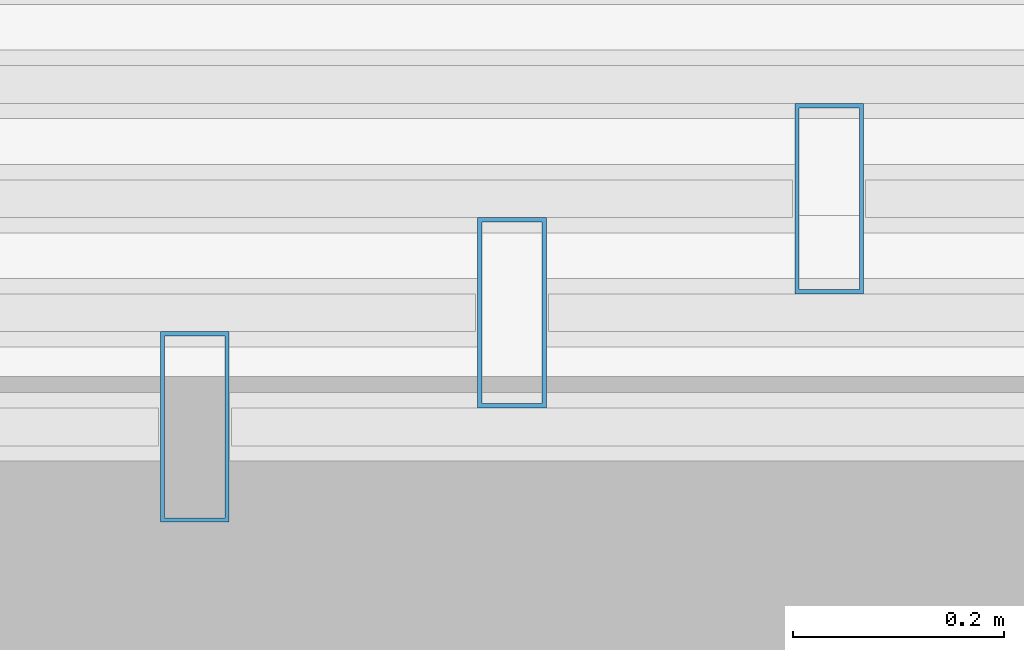
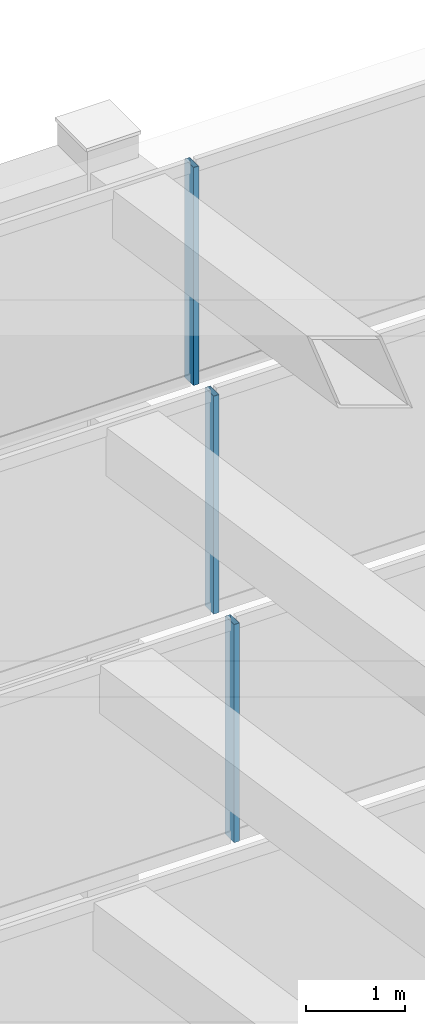
# One storey, part 18 of 29: 3 members, 3 elements without a shape of their own.
"""IFC4 building model written with IfcOpenShell, lengths in metres."""

from ifc_helpers import new_model, si_unit, direction, frame, origin, origin_2d, place, context, subcontext, project, spatial, hollow_rectangle, extrude, material, material_profile, profile_set, type_object, element, aggregate, save


model = new_model("IFC4")

# Units and contexts
model_context = context("Model", 3, precision=1e-05, world=origin(), true_north=direction((0.0, 1.0)))
body_context = subcontext(model_context, "Body", "Model", "MODEL_VIEW")
ifc_project = project(units=[si_unit("LENGTHUNIT", "METRE"), si_unit("AREAUNIT", "SQUARE_METRE"), si_unit("VOLUMEUNIT", "CUBIC_METRE"), si_unit("PLANEANGLEUNIT", "RADIAN"), si_unit("MASSUNIT", "GRAM", prefix="KILO")], contexts=[model_context])

# Site, building, storey
site_placement = place(None, origin())
site = spatial("IfcSite", under=ifc_project, at=site_placement, CompositionType="ELEMENT")
building_placement = place(site_placement, origin())
building = spatial("IfcBuilding", under=site, at=building_placement, Name="Saevonmaru Cultural Tower", CompositionType="ELEMENT")
storey_placement = place(building_placement, frame((0.0, 0.0, 327.60009765625)))
storey = spatial("IfcBuildingStorey", under=building, at=storey_placement, Name="RF", CompositionType="ELEMENT", Elevation=327.60009765625)

# Curtain wall, member
ifc_material = material(Name="Satin Bronze Anodised Aluminium", Category="aluminium")
curtain_wall_type = type_object("IfcCurtainWallType", Name="CW-TYP-B", PredefinedType="NOTDEFINED", material=ifc_material)
curtain_wall_1_placement = place(storey_placement, origin())
curtain_wall_1 = element("IfcCurtainWall", 1, at=curtain_wall_1_placement, inside=storey, type_object=curtain_wall_type, Name="RF Ziggurat Crown Tier 4 Bronze Louvre Screen 3", PredefinedType="NOTDEFINED")
ifc_material_profile = material_profile(ifc_material, hollow_rectangle(XDim=0.06494140625, YDim=0.179931640625, WallThickness=0.00390625, at=origin_2d()), Name="ALU-MULL-180x65x4")
ifc_profile_set = profile_set([ifc_material_profile], Name="Satin Bronze Anodised Aluminium")
member_type = type_object("IfcMemberType", Name="ML-CW-180x65", PredefinedType="MULLION", material=ifc_profile_set)
member_1_placement = place(storey_placement, frame((36.122314453125, 54.367919921875, 9.0), z_axis=(0.0, 0.0, 1.0), x_axis=(-1.0, 0.0, 0.0)))
member_1 = element("IfcMember", 2, at=member_1_placement, type_object=member_type, Name="CW-CROWN-T4-3 mullion 2", PredefinedType="MULLION", context=body_context, shape_type="SweptSolid", body=[
    extrude(hollow_rectangle(XDim=0.06494140625, YDim=0.179931640625, WallThickness=0.00390625, at=origin_2d()), origin(), (0.0, 0.0, 1.0), 2.699951171875),
])
aggregate(curtain_wall_1, [member_1])

curtain_wall_2_placement = place(storey_placement, origin())
curtain_wall_2 = element("IfcCurtainWall", 3, at=curtain_wall_2_placement, inside=storey, type_object=curtain_wall_type, Name="RF Ziggurat Crown Tier 5 Bronze Louvre Screen 3", PredefinedType="NOTDEFINED")
member_2_placement = place(storey_placement, frame((35.822265625, 54.260009765625, 12.0), z_axis=(0.0, 0.0, 1.0), x_axis=(-1.0, 0.0, 0.0)))
member_2 = element("IfcMember", 4, at=member_2_placement, type_object=member_type, Name="CW-CROWN-T5-3 mullion 2", PredefinedType="MULLION", context=body_context, shape_type="SweptSolid", body=[
    extrude(hollow_rectangle(XDim=0.06494140625, YDim=0.179931640625, WallThickness=0.00390625, at=origin_2d()), origin(), (0.0, 0.0, 1.0), 2.699951171875),
])
aggregate(curtain_wall_2, [member_2])

curtain_wall_3_placement = place(storey_placement, origin())
curtain_wall_3 = element("IfcCurtainWall", 5, at=curtain_wall_3_placement, inside=storey, type_object=curtain_wall_type, Name="RF Ziggurat Crown Tier 6 Bronze Louvre Screen 3", PredefinedType="NOTDEFINED")
member_3_placement = place(storey_placement, frame((35.522216796875, 54.152099609375, 15.0), z_axis=(0.0, 0.0, 1.0), x_axis=(-1.0, 0.0, 0.0)))
member_3 = element("IfcMember", 6, at=member_3_placement, type_object=member_type, Name="CW-CROWN-T6-3 mullion 2", PredefinedType="MULLION", context=body_context, shape_type="SweptSolid", body=[
    extrude(hollow_rectangle(XDim=0.06494140625, YDim=0.179931640625, WallThickness=0.00390625, at=origin_2d()), origin(), (0.0, 0.0, 1.0), 2.699951171875),
])
aggregate(curtain_wall_3, [member_3])

save(model, "model.ifc")
